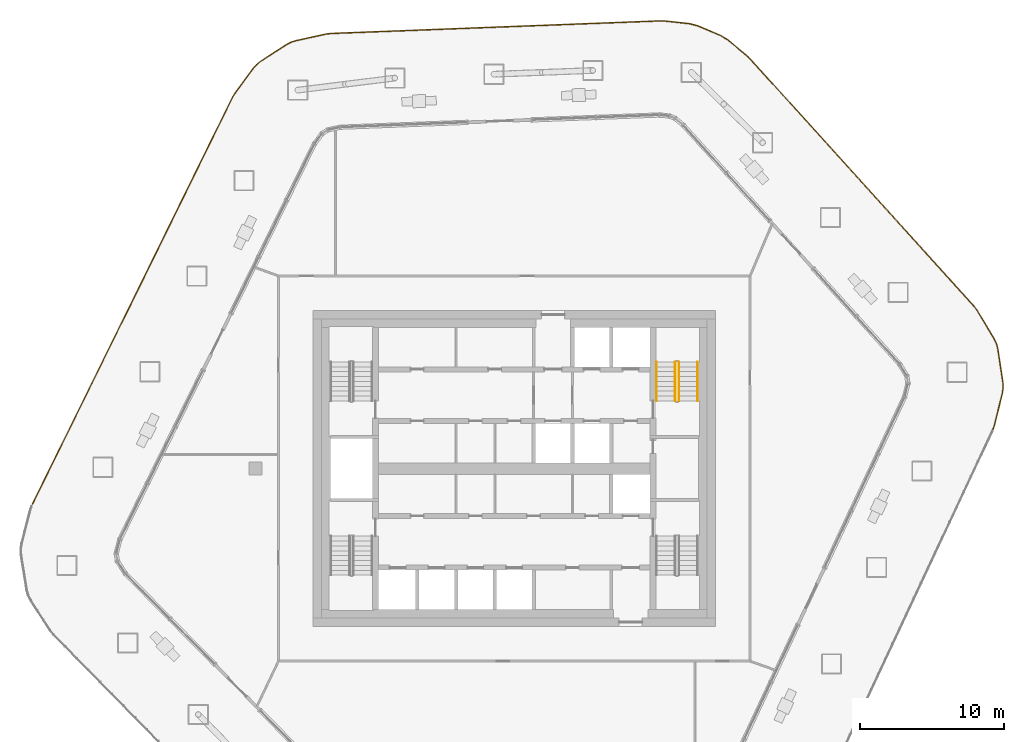
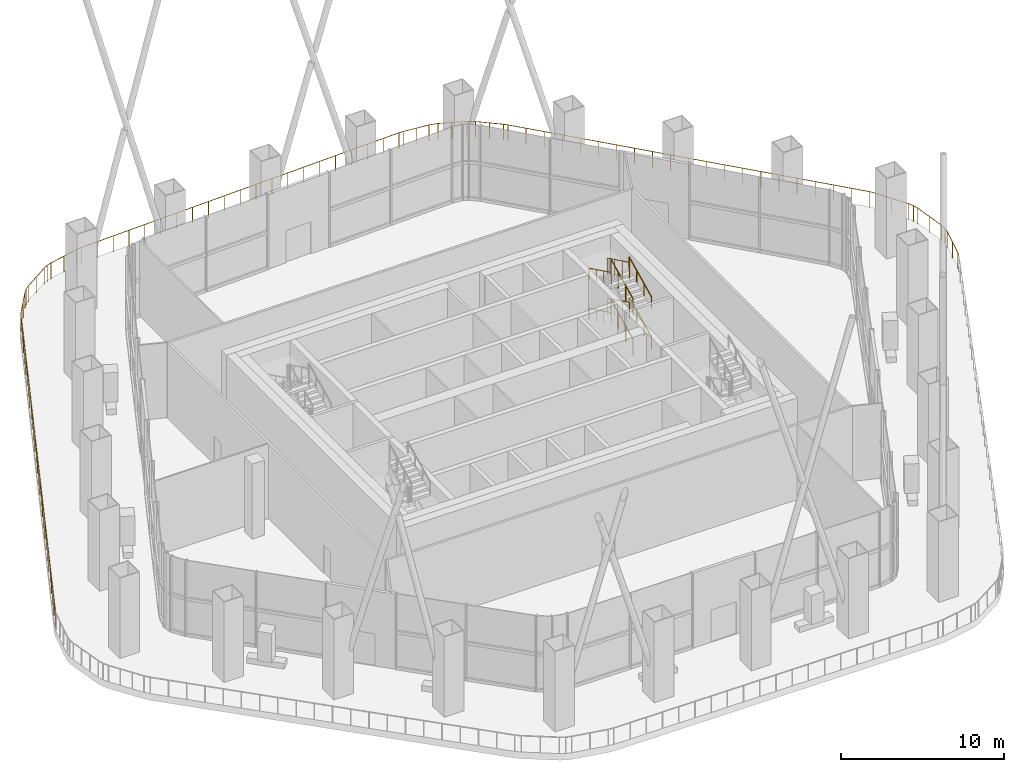
# One storey, part 18 of 20: 9 railings.
"""IFC4 building model written with IfcOpenShell, lengths in metres."""

from ifc_helpers import new_model, si_unit, direction, frame, origin, origin_2d, place, context, subcontext, project, spatial, circle, extrude, material, type_object, element, save


model = new_model("IFC4")

# Units and contexts
model_context = context("Model", 3, precision=1e-05, world=origin(), true_north=direction((0.0, 1.0)))
body_context = subcontext(model_context, "Body", "Model", "MODEL_VIEW")
ifc_project = project(units=[si_unit("LENGTHUNIT", "METRE"), si_unit("AREAUNIT", "SQUARE_METRE"), si_unit("VOLUMEUNIT", "CUBIC_METRE"), si_unit("PLANEANGLEUNIT", "RADIAN"), si_unit("MASSUNIT", "GRAM", prefix="KILO")], contexts=[model_context])

# Site, building, storey
site_placement = place(None, origin())
site = spatial("IfcSite", under=ifc_project, at=site_placement, CompositionType="ELEMENT")
building_placement = place(site_placement, origin())
building = spatial("IfcBuilding", under=site, at=building_placement, Name="Dongbaek Canopy Tower", CompositionType="ELEMENT")
storey_placement = place(building_placement, frame((0.0, 0.0, 353.0)))
storey = spatial("IfcBuildingStorey", under=building, at=storey_placement, Name="L76", CompositionType="ELEMENT", Elevation=353.0)

# Railings
ifc_material_1 = material(Name="Toughened laminated glass in stainless steel", Category="steel")
railing_type_1 = type_object("IfcRailingType", Name="Glazed deck guard 1200", PredefinedType="GUARDRAIL", material=ifc_material_1)
railing_1_placement = place(storey_placement, frame((-33.517333984375, -2.47216796875, 0.0)))
element("IfcRailing", 1, at=railing_1_placement, inside=storey, type_object=railing_type_1, Name="Glazed deck guard L76 2", PredefinedType="GUARDRAIL", context=body_context, shape_type="SweptSolid", body=[
    extrude(circle(Radius=0.02392578125, at=origin_2d()), frame((0.0, 0.0, 1.17578125), z_axis=(0.441346322575, 0.897336850658, 0.0), x_axis=(-0.897336850658, 0.441346322575, 0.0)), (0.0, 0.0, 1.0), 31.54248046875),
    extrude(circle(Radius=0.02392578125, at=origin_2d()), frame((13.921142578125, 28.30419921875, 1.17578125), z_axis=(0.519881062079, 0.854238655934, 0.0), x_axis=(-0.854238655934, 0.519881062079, 0.0)), (0.0, 0.0, 1.0), 0.352783203125),
    extrude(circle(Radius=0.02392578125, at=origin_2d()), frame((14.1044921875, 28.60546875, 1.17578125), z_axis=(0.594181964405, 0.804330649159, 0.0), x_axis=(-0.804330649159, 0.594181964405, 0.0)), (0.0, 0.0, 1.0), 2.134033203125),
    extrude(circle(Radius=0.02392578125, at=origin_2d()), frame((15.37255859375, 30.322021484375, 1.17578125), z_axis=(0.66436383883, 0.747409318684, 0.0), x_axis=(-0.747409318684, 0.66436383883, 0.0)), (0.0, 0.0, 1.0), 0.349853515625),
    extrude(circle(Radius=0.02392578125, at=origin_2d()), frame((15.60498046875, 30.58349609375, 1.17578125), z_axis=(0.786148870656, 0.618037177819, 0.0), x_axis=(-0.618037177819, 0.786148870656, 0.0)), (0.0, 0.0, 1.0), 0.35009765625),
    extrude(circle(Radius=0.02392578125, at=origin_2d()), frame((15.880126953125, 30.7998046875, 1.17578125), z_axis=(0.83871274082, 0.544574088979, 0.0), x_axis=(-0.544574088979, 0.83871274082, 0.0)), (0.0, 0.0, 1.0), 2.134033203125),
    extrude(circle(Radius=0.02392578125, at=origin_2d()), frame((17.669921875, 31.9619140625, 1.17578125), z_axis=(0.884008447772, 0.467470923447, 0.0), x_axis=(-0.467470923447, 0.884008447772, 0.0)), (0.0, 0.0, 1.0), 0.349853515625),
    extrude(circle(Radius=0.02392578125, at=origin_2d()), frame((17.979248046875, 32.12548828125, 1.17578125), z_axis=(0.953053976708, 0.302800458193, 0.0), x_axis=(-0.302800458193, 0.953053976708, 0.0)), (0.0, 0.0, 1.0), 0.349853515625),
    extrude(circle(Radius=0.02392578125, at=origin_2d()), frame((18.312744140625, 32.2314453125, 1.17578125), z_axis=(0.976444787738, 0.215767412967, 0.0), x_axis=(-0.215767412967, 0.976444787738, 0.0)), (0.0, 0.0, 1.0), 2.134033203125),
    extrude(circle(Radius=0.02392578125, at=origin_2d()), frame((20.396484375, 32.69189453125, 1.17578125), z_axis=(0.991857022233, 0.127356379687, 0.0), x_axis=(-0.127356379687, 0.991857022233, 0.0)), (0.0, 0.0, 1.0), 0.352783203125),
    extrude(circle(Radius=0.02392578125, at=origin_2d()), frame((20.746337890625, 32.73681640625, 1.17578125), z_axis=(0.99926894316, 0.038230606005, 0.0), x_axis=(-0.038230606005, 0.99926894316, 0.0)), (0.0, 0.0, 1.0), 22.964111328125),
    extrude(circle(Radius=0.02392578125, at=origin_2d()), frame((43.693603515625, 33.61474609375, 1.17578125), z_axis=(0.999389699148, -0.034931779766, 0.0), x_axis=(0.034931779766, 0.999389699148, 0.0)), (0.0, 0.0, 1.0), 0.28662109375),
    extrude(circle(Radius=0.02392578125, at=origin_2d()), frame((43.97998046875, 33.604736328125, 1.17578125), z_axis=(0.994254138761, -0.107045352806, 0.0), x_axis=(0.107045352806, 0.994254138761, 0.0)), (0.0, 0.0, 1.0), 1.7333984375),
    extrude(circle(Radius=0.02392578125, at=origin_2d()), frame((45.703369140625, 33.419189453125, 1.17578125), z_axis=(0.968253974502, -0.249968479737, 0.0), x_axis=(0.249968479737, 0.968253974502, 0.0)), (0.0, 0.0, 1.0), 0.5712890625),
    extrude(circle(Radius=0.02392578125, at=origin_2d()), frame((46.256591796875, 33.2763671875, 1.17578125), z_axis=(0.921685801598, -0.387937215452, 0.0), x_axis=(0.387937215452, 0.921685801598, 0.0)), (0.0, 0.0, 1.0), 1.731201171875),
    extrude(circle(Radius=0.02392578125, at=origin_2d()), frame((47.852294921875, 32.604736328125, 1.17578125), z_axis=(0.855753979123, -0.517382959919, 0.0), x_axis=(0.517382959919, 0.855753979123, 0.0)), (0.0, 0.0, 1.0), 0.571533203125),
    extrude(circle(Radius=0.02392578125, at=origin_2d()), frame((48.34130859375, 32.30908203125, 1.17578125), z_axis=(0.771661845055, -0.636033015563, 0.0), x_axis=(0.636033015563, 0.771661845055, 0.0)), (0.0, 0.0, 1.0), 1.7333984375),
    extrude(circle(Radius=0.02392578125, at=origin_2d()), frame((49.678955078125, 31.20654296875, 1.17578125), z_axis=(0.723529649183, -0.690293304874, 0.0), x_axis=(0.690293304874, 0.723529649183, 0.0)), (0.0, 0.0, 1.0), 0.286376953125),
    extrude(circle(Radius=0.02392578125, at=origin_2d()), frame((49.88623046875, 31.0087890625, 1.17578125), z_axis=(0.67125480855, -0.741226673831, 0.0), x_axis=(0.741226673831, 0.67125480855, 0.0)), (0.0, 0.0, 1.0), 23.22705078125),
    extrude(circle(Radius=0.02392578125, at=origin_2d()), frame((65.4775390625, 13.792236328125, 1.17578125), z_axis=(0.59572812203, -0.803186158137, 0.0), x_axis=(0.803186158137, 0.59572812203, 0.0)), (0.0, 0.0, 1.0), 0.384765625),
    extrude(circle(Radius=0.02392578125, at=origin_2d()), frame((65.706787109375, 13.483154296875, 1.17578125), z_axis=(0.514387752815, -0.857557718031, 0.0), x_axis=(0.857557718031, 0.514387752815, 0.0)), (0.0, 0.0, 1.0), 2.3271484375),
    extrude(circle(Radius=0.02392578125, at=origin_2d()), frame((66.90380859375, 11.487548828125, 1.17578125), z_axis=(0.427921361735, -0.903815970301, 0.0), x_axis=(0.903815970301, 0.427921361735, 0.0)), (0.0, 0.0, 1.0), 0.381591796875),
    extrude(circle(Radius=0.02392578125, at=origin_2d()), frame((67.067138671875, 11.142578125, 1.17578125), z_axis=(0.244189776516, -0.969727463283, 0.0), x_axis=(0.969727463283, 0.244189776516, 0.0)), (0.0, 0.0, 1.0), 0.3818359375),
    extrude(circle(Radius=0.02392578125, at=origin_2d()), frame((67.160400390625, 10.772216796875, 1.17578125), z_axis=(0.148453317887, -0.988919416539, 0.0), x_axis=(0.988919416539, 0.148453317887, 0.0)), (0.0, 0.0, 1.0), 2.3271484375),
    extrude(circle(Radius=0.02392578125, at=origin_2d()), frame((67.505859375, 8.470947265625, 1.17578125), z_axis=(0.051149347779, -0.998691015391, 0.0), x_axis=(0.998691015391, 0.051149347779, 0.0)), (0.0, 0.0, 1.0), 0.3818359375),
    extrude(circle(Radius=0.02392578125, at=origin_2d()), frame((67.525390625, 8.089599609375, 1.17578125), z_axis=(-0.143928456093, -0.98958809589, 0.0), x_axis=(0.98958809589, -0.143928456093, 0.0)), (0.0, 0.0, 1.0), 0.381591796875),
    extrude(circle(Radius=0.02392578125, at=origin_2d()), frame((67.470458984375, 7.7119140625, 1.17578125), z_axis=(-0.240041590788, -0.970762604704, 0.0), x_axis=(0.970762604704, -0.240041590788, 0.0)), (0.0, 0.0, 1.0), 2.3271484375),
    extrude(circle(Radius=0.02392578125, at=origin_2d()), frame((66.911865234375, 5.452880859375, 1.17578125), z_axis=(-0.333402866378, -0.942784455054, 0.0), x_axis=(0.942784455054, -0.333402866378, 0.0)), (0.0, 0.0, 1.0), 0.284912109375),
    extrude(circle(Radius=0.02099609375, at=origin_2d()), origin(), (0.0, 0.0, 1.0), 1.15185546875),
    extrude(circle(Radius=0.02099609375, at=origin_2d()), frame((0.515625, 1.04833984375, 0.0)), (0.0, 0.0, 1.0), 1.15185546875),
    extrude(circle(Radius=0.02099609375, at=origin_2d()), frame((1.03125, 2.0966796875, 0.0)), (0.0, 0.0, 1.0), 1.15185546875),
    extrude(circle(Radius=0.02099609375, at=origin_2d()), frame((1.546875, 3.14501953125, 0.0)), (0.0, 0.0, 1.0), 1.15185546875),
    extrude(circle(Radius=0.02099609375, at=origin_2d()), frame((2.0625, 4.193115234375, 0.0)), (0.0, 0.0, 1.0), 1.15185546875),
    extrude(circle(Radius=0.02099609375, at=origin_2d()), frame((2.577880859375, 5.241455078125, 0.0)), (0.0, 0.0, 1.0), 1.15185546875),
    extrude(circle(Radius=0.02099609375, at=origin_2d()), frame((3.093505859375, 6.289794921875, 0.0)), (0.0, 0.0, 1.0), 1.15185546875),
    extrude(circle(Radius=0.02099609375, at=origin_2d()), frame((3.609130859375, 7.338134765625, 0.0)), (0.0, 0.0, 1.0), 1.15185546875),
    extrude(circle(Radius=0.02099609375, at=origin_2d()), frame((4.124755859375, 8.386474609375, 0.0)), (0.0, 0.0, 1.0), 1.15185546875),
    extrude(circle(Radius=0.02099609375, at=origin_2d()), frame((4.640380859375, 9.434814453125, 0.0)), (0.0, 0.0, 1.0), 1.15185546875),
    extrude(circle(Radius=0.02099609375, at=origin_2d()), frame((5.156005859375, 10.483154296875, 0.0)), (0.0, 0.0, 1.0), 1.15185546875),
    extrude(circle(Radius=0.02099609375, at=origin_2d()), frame((5.671630859375, 11.53125, 0.0)), (0.0, 0.0, 1.0), 1.15185546875),
    extrude(circle(Radius=0.02099609375, at=origin_2d()), frame((6.187255859375, 12.57958984375, 0.0)), (0.0, 0.0, 1.0), 1.15185546875),
    extrude(circle(Radius=0.02099609375, at=origin_2d()), frame((6.702880859375, 13.6279296875, 0.0)), (0.0, 0.0, 1.0), 1.15185546875),
    extrude(circle(Radius=0.02099609375, at=origin_2d()), frame((7.21826171875, 14.67626953125, 0.0)), (0.0, 0.0, 1.0), 1.15185546875),
    extrude(circle(Radius=0.02099609375, at=origin_2d()), frame((7.73388671875, 15.724609375, 0.0)), (0.0, 0.0, 1.0), 1.15185546875),
    extrude(circle(Radius=0.02099609375, at=origin_2d()), frame((8.24951171875, 16.77294921875, 0.0)), (0.0, 0.0, 1.0), 1.15185546875),
    extrude(circle(Radius=0.02099609375, at=origin_2d()), frame((8.76513671875, 17.821044921875, 0.0)), (0.0, 0.0, 1.0), 1.15185546875),
    extrude(circle(Radius=0.02099609375, at=origin_2d()), frame((9.28076171875, 18.869384765625, 0.0)), (0.0, 0.0, 1.0), 1.15185546875),
    extrude(circle(Radius=0.02099609375, at=origin_2d()), frame((9.79638671875, 19.917724609375, 0.0)), (0.0, 0.0, 1.0), 1.15185546875),
    extrude(circle(Radius=0.02099609375, at=origin_2d()), frame((10.31201171875, 20.966064453125, 0.0)), (0.0, 0.0, 1.0), 1.15185546875),
    extrude(circle(Radius=0.02099609375, at=origin_2d()), frame((10.82763671875, 22.014404296875, 0.0)), (0.0, 0.0, 1.0), 1.15185546875),
    extrude(circle(Radius=0.02099609375, at=origin_2d()), frame((11.34326171875, 23.062744140625, 0.0)), (0.0, 0.0, 1.0), 1.15185546875),
    extrude(circle(Radius=0.02099609375, at=origin_2d()), frame((11.858642578125, 24.111083984375, 0.0)), (0.0, 0.0, 1.0), 1.15185546875),
    extrude(circle(Radius=0.02099609375, at=origin_2d()), frame((12.374267578125, 25.1591796875, 0.0)), (0.0, 0.0, 1.0), 1.15185546875),
    extrude(circle(Radius=0.02099609375, at=origin_2d()), frame((12.889892578125, 26.20751953125, 0.0)), (0.0, 0.0, 1.0), 1.15185546875),
    extrude(circle(Radius=0.02099609375, at=origin_2d()), frame((13.405517578125, 27.255859375, 0.0)), (0.0, 0.0, 1.0), 1.15185546875),
    extrude(circle(Radius=0.02099609375, at=origin_2d()), frame((13.921142578125, 28.30419921875, 0.0)), (0.0, 0.0, 1.0), 1.15185546875),
    extrude(circle(Radius=0.02099609375, at=origin_2d()), frame((14.1044921875, 28.60546875, 0.0)), (0.0, 0.0, 1.0), 1.15185546875),
    extrude(circle(Radius=0.02099609375, at=origin_2d()), frame((14.738525390625, 29.4638671875, 0.0)), (0.0, 0.0, 1.0), 1.15185546875),
    extrude(circle(Radius=0.02099609375, at=origin_2d()), frame((15.37255859375, 30.322021484375, 0.0)), (0.0, 0.0, 1.0), 1.15185546875),
    extrude(circle(Radius=0.02099609375, at=origin_2d()), frame((15.60498046875, 30.58349609375, 0.0)), (0.0, 0.0, 1.0), 1.15185546875),
    extrude(circle(Radius=0.02099609375, at=origin_2d()), frame((15.880126953125, 30.7998046875, 0.0)), (0.0, 0.0, 1.0), 1.15185546875),
    extrude(circle(Radius=0.02099609375, at=origin_2d()), frame((16.77490234375, 31.380859375, 0.0)), (0.0, 0.0, 1.0), 1.15185546875),
    extrude(circle(Radius=0.02099609375, at=origin_2d()), frame((17.669921875, 31.9619140625, 0.0)), (0.0, 0.0, 1.0), 1.15185546875),
    extrude(circle(Radius=0.02099609375, at=origin_2d()), frame((17.979248046875, 32.12548828125, 0.0)), (0.0, 0.0, 1.0), 1.15185546875),
    extrude(circle(Radius=0.02099609375, at=origin_2d()), frame((18.312744140625, 32.2314453125, 0.0)), (0.0, 0.0, 1.0), 1.15185546875),
    extrude(circle(Radius=0.02099609375, at=origin_2d()), frame((19.3544921875, 32.461669921875, 0.0)), (0.0, 0.0, 1.0), 1.15185546875),
    extrude(circle(Radius=0.02099609375, at=origin_2d()), frame((20.396484375, 32.69189453125, 0.0)), (0.0, 0.0, 1.0), 1.15185546875),
    extrude(circle(Radius=0.02099609375, at=origin_2d()), frame((20.746337890625, 32.73681640625, 0.0)), (0.0, 0.0, 1.0), 1.15185546875),
    extrude(circle(Radius=0.02099609375, at=origin_2d()), frame((21.893798828125, 32.78076171875, 0.0)), (0.0, 0.0, 1.0), 1.15185546875),
    extrude(circle(Radius=0.02099609375, at=origin_2d()), frame((23.041015625, 32.82470703125, 0.0)), (0.0, 0.0, 1.0), 1.15185546875),
    extrude(circle(Radius=0.02099609375, at=origin_2d()), frame((24.1884765625, 32.868408203125, 0.0)), (0.0, 0.0, 1.0), 1.15185546875),
    extrude(circle(Radius=0.02099609375, at=origin_2d()), frame((25.335693359375, 32.912353515625, 0.0)), (0.0, 0.0, 1.0), 1.15185546875),
    extrude(circle(Radius=0.02099609375, at=origin_2d()), frame((26.483154296875, 32.956298828125, 0.0)), (0.0, 0.0, 1.0), 1.15185546875),
    extrude(circle(Radius=0.02099609375, at=origin_2d()), frame((27.630615234375, 33.000244140625, 0.0)), (0.0, 0.0, 1.0), 1.15185546875),
    extrude(circle(Radius=0.02099609375, at=origin_2d()), frame((28.77783203125, 33.044189453125, 0.0)), (0.0, 0.0, 1.0), 1.15185546875),
    extrude(circle(Radius=0.02099609375, at=origin_2d()), frame((29.92529296875, 33.087890625, 0.0)), (0.0, 0.0, 1.0), 1.15185546875),
    extrude(circle(Radius=0.02099609375, at=origin_2d()), frame((31.072509765625, 33.1318359375, 0.0)), (0.0, 0.0, 1.0), 1.15185546875),
    extrude(circle(Radius=0.02099609375, at=origin_2d()), frame((32.219970703125, 33.17578125, 0.0)), (0.0, 0.0, 1.0), 1.15185546875),
    extrude(circle(Radius=0.02099609375, at=origin_2d()), frame((33.367431640625, 33.2197265625, 0.0)), (0.0, 0.0, 1.0), 1.15185546875),
    extrude(circle(Radius=0.02099609375, at=origin_2d()), frame((34.5146484375, 33.263671875, 0.0)), (0.0, 0.0, 1.0), 1.15185546875),
    extrude(circle(Radius=0.02099609375, at=origin_2d()), frame((35.662109375, 33.307373046875, 0.0)), (0.0, 0.0, 1.0), 1.15185546875),
    extrude(circle(Radius=0.02099609375, at=origin_2d()), frame((36.809326171875, 33.351318359375, 0.0)), (0.0, 0.0, 1.0), 1.15185546875),
    extrude(circle(Radius=0.02099609375, at=origin_2d()), frame((37.956787109375, 33.395263671875, 0.0)), (0.0, 0.0, 1.0), 1.15185546875),
    extrude(circle(Radius=0.02099609375, at=origin_2d()), frame((39.104248046875, 33.439208984375, 0.0)), (0.0, 0.0, 1.0), 1.15185546875),
    extrude(circle(Radius=0.02099609375, at=origin_2d()), frame((40.25146484375, 33.483154296875, 0.0)), (0.0, 0.0, 1.0), 1.15185546875),
    extrude(circle(Radius=0.02099609375, at=origin_2d()), frame((41.39892578125, 33.52685546875, 0.0)), (0.0, 0.0, 1.0), 1.15185546875),
    extrude(circle(Radius=0.02099609375, at=origin_2d()), frame((42.546142578125, 33.57080078125, 0.0)), (0.0, 0.0, 1.0), 1.15185546875),
    extrude(circle(Radius=0.02099609375, at=origin_2d()), frame((43.693603515625, 33.61474609375, 0.0)), (0.0, 0.0, 1.0), 1.15185546875),
    extrude(circle(Radius=0.02099609375, at=origin_2d()), frame((43.97998046875, 33.604736328125, 0.0)), (0.0, 0.0, 1.0), 1.15185546875),
    extrude(circle(Radius=0.02099609375, at=origin_2d()), frame((44.841796875, 33.511962890625, 0.0)), (0.0, 0.0, 1.0), 1.15185546875),
    extrude(circle(Radius=0.02099609375, at=origin_2d()), frame((45.703369140625, 33.419189453125, 0.0)), (0.0, 0.0, 1.0), 1.15185546875),
    extrude(circle(Radius=0.02099609375, at=origin_2d()), frame((46.256591796875, 33.2763671875, 0.0)), (0.0, 0.0, 1.0), 1.15185546875),
    extrude(circle(Radius=0.02099609375, at=origin_2d()), frame((47.054443359375, 32.9404296875, 0.0)), (0.0, 0.0, 1.0), 1.15185546875),
    extrude(circle(Radius=0.02099609375, at=origin_2d()), frame((47.852294921875, 32.604736328125, 0.0)), (0.0, 0.0, 1.0), 1.15185546875),
    extrude(circle(Radius=0.02099609375, at=origin_2d()), frame((48.34130859375, 32.30908203125, 0.0)), (0.0, 0.0, 1.0), 1.15185546875),
    extrude(circle(Radius=0.02099609375, at=origin_2d()), frame((49.01025390625, 31.7578125, 0.0)), (0.0, 0.0, 1.0), 1.15185546875),
    extrude(circle(Radius=0.02099609375, at=origin_2d()), frame((49.678955078125, 31.20654296875, 0.0)), (0.0, 0.0, 1.0), 1.15185546875),
    extrude(circle(Radius=0.02099609375, at=origin_2d()), frame((49.88623046875, 31.0087890625, 0.0)), (0.0, 0.0, 1.0), 1.15185546875),
    extrude(circle(Radius=0.02099609375, at=origin_2d()), frame((50.665771484375, 30.14794921875, 0.0)), (0.0, 0.0, 1.0), 1.15185546875),
    extrude(circle(Radius=0.02099609375, at=origin_2d()), frame((51.4453125, 29.287109375, 0.0)), (0.0, 0.0, 1.0), 1.15185546875),
    extrude(circle(Radius=0.02099609375, at=origin_2d()), frame((52.224853515625, 28.42626953125, 0.0)), (0.0, 0.0, 1.0), 1.15185546875),
    extrude(circle(Radius=0.02099609375, at=origin_2d()), frame((53.00439453125, 27.5654296875, 0.0)), (0.0, 0.0, 1.0), 1.15185546875),
    extrude(circle(Radius=0.02099609375, at=origin_2d()), frame((53.7841796875, 26.70458984375, 0.0)), (0.0, 0.0, 1.0), 1.15185546875),
    extrude(circle(Radius=0.02099609375, at=origin_2d()), frame((54.563720703125, 25.84375, 0.0)), (0.0, 0.0, 1.0), 1.15185546875),
    extrude(circle(Radius=0.02099609375, at=origin_2d()), frame((55.34326171875, 24.98291015625, 0.0)), (0.0, 0.0, 1.0), 1.15185546875),
    extrude(circle(Radius=0.02099609375, at=origin_2d()), frame((56.122802734375, 24.1220703125, 0.0)), (0.0, 0.0, 1.0), 1.15185546875),
    extrude(circle(Radius=0.02099609375, at=origin_2d()), frame((56.90234375, 23.26123046875, 0.0)), (0.0, 0.0, 1.0), 1.15185546875),
    extrude(circle(Radius=0.02099609375, at=origin_2d()), frame((57.681884765625, 22.400390625, 0.0)), (0.0, 0.0, 1.0), 1.15185546875),
    extrude(circle(Radius=0.02099609375, at=origin_2d()), frame((58.46142578125, 21.539794921875, 0.0)), (0.0, 0.0, 1.0), 1.15185546875),
    extrude(circle(Radius=0.02099609375, at=origin_2d()), frame((59.240966796875, 20.678955078125, 0.0)), (0.0, 0.0, 1.0), 1.15185546875),
    extrude(circle(Radius=0.02099609375, at=origin_2d()), frame((60.0205078125, 19.818115234375, 0.0)), (0.0, 0.0, 1.0), 1.15185546875),
    extrude(circle(Radius=0.02099609375, at=origin_2d()), frame((60.800048828125, 18.957275390625, 0.0)), (0.0, 0.0, 1.0), 1.15185546875),
    extrude(circle(Radius=0.02099609375, at=origin_2d()), frame((61.57958984375, 18.096435546875, 0.0)), (0.0, 0.0, 1.0), 1.15185546875),
    extrude(circle(Radius=0.02099609375, at=origin_2d()), frame((62.359375, 17.235595703125, 0.0)), (0.0, 0.0, 1.0), 1.15185546875),
    extrude(circle(Radius=0.02099609375, at=origin_2d()), frame((63.138916015625, 16.374755859375, 0.0)), (0.0, 0.0, 1.0), 1.15185546875),
    extrude(circle(Radius=0.02099609375, at=origin_2d()), frame((63.91845703125, 15.513916015625, 0.0)), (0.0, 0.0, 1.0), 1.15185546875),
    extrude(circle(Radius=0.02099609375, at=origin_2d()), frame((64.697998046875, 14.653076171875, 0.0)), (0.0, 0.0, 1.0), 1.15185546875),
    extrude(circle(Radius=0.02099609375, at=origin_2d()), frame((65.4775390625, 13.792236328125, 0.0)), (0.0, 0.0, 1.0), 1.15185546875),
    extrude(circle(Radius=0.02099609375, at=origin_2d()), frame((65.706787109375, 13.483154296875, 0.0)), (0.0, 0.0, 1.0), 1.15185546875),
    extrude(circle(Radius=0.02099609375, at=origin_2d()), frame((66.30517578125, 12.4853515625, 0.0)), (0.0, 0.0, 1.0), 1.15185546875),
    extrude(circle(Radius=0.02099609375, at=origin_2d()), frame((66.90380859375, 11.487548828125, 0.0)), (0.0, 0.0, 1.0), 1.15185546875),
    extrude(circle(Radius=0.02099609375, at=origin_2d()), frame((67.067138671875, 11.142578125, 0.0)), (0.0, 0.0, 1.0), 1.15185546875),
    extrude(circle(Radius=0.02099609375, at=origin_2d()), frame((67.160400390625, 10.772216796875, 0.0)), (0.0, 0.0, 1.0), 1.15185546875),
    extrude(circle(Radius=0.02099609375, at=origin_2d()), frame((67.3330078125, 9.62158203125, 0.0)), (0.0, 0.0, 1.0), 1.15185546875),
    extrude(circle(Radius=0.02099609375, at=origin_2d()), frame((67.505859375, 8.470947265625, 0.0)), (0.0, 0.0, 1.0), 1.15185546875),
    extrude(circle(Radius=0.02099609375, at=origin_2d()), frame((67.525390625, 8.089599609375, 0.0)), (0.0, 0.0, 1.0), 1.15185546875),
    extrude(circle(Radius=0.02099609375, at=origin_2d()), frame((67.470458984375, 7.7119140625, 0.0)), (0.0, 0.0, 1.0), 1.15185546875),
    extrude(circle(Radius=0.02099609375, at=origin_2d()), frame((67.191162109375, 6.58251953125, 0.0)), (0.0, 0.0, 1.0), 1.15185546875),
    extrude(circle(Radius=0.02099609375, at=origin_2d()), frame((66.911865234375, 5.452880859375, 0.0)), (0.0, 0.0, 1.0), 1.15185546875),
    extrude(circle(Radius=0.02099609375, at=origin_2d()), frame((66.81689453125, 5.184326171875, 0.0)), (0.0, 0.0, 1.0), 1.15185546875),
])
ifc_material_2 = material(Name="Stainless steel tube and balusters", Category="steel")
railing_type_2 = type_object("IfcRailingType", Name="Stair guard 1200", PredefinedType="GUARDRAIL", material=ifc_material_2)
railing_2_placement = place(storey_placement, frame((11.449951171875, 4.699951171875, 0.166748046875)))
element("IfcRailing", 2, at=railing_2_placement, inside=storey, type_object=railing_type_2, Name="L76 ST-A stair guard 1", PredefinedType="GUARDRAIL", context=body_context, shape_type="SweptSolid", body=[
    extrude(circle(Radius=0.02392578125, at=origin_2d()), frame((0.0, 0.0, 1.17578125), z_axis=(0.0, 0.897929466783, 0.4401393787), x_axis=(-1.0, 0.0, 0.0)), (0.0, 0.0, 1.0), 3.029052734375),
    extrude(circle(Radius=0.02099609375, at=origin_2d()), origin(), (0.0, 0.0, 1.0), 1.15185546875),
    extrude(circle(Radius=0.02099609375, at=origin_2d()), frame((0.0, 0.90673828125, 0.4443359375)), (0.0, 0.0, 1.0), 1.15185546875),
    extrude(circle(Radius=0.02099609375, at=origin_2d()), frame((0.0, 1.813232421875, 0.888916015625)), (0.0, 0.0, 1.0), 1.15185546875),
    extrude(circle(Radius=0.02099609375, at=origin_2d()), frame((0.0, 2.719970703125, 1.333251953125)), (0.0, 0.0, 1.0), 1.15185546875),
])
railing_3_placement = place(storey_placement, frame((11.199951171875, 7.419921875, 1.666748046875)))
element("IfcRailing", 3, at=railing_3_placement, inside=storey, type_object=railing_type_2, Name="L76 ST-A stair guard 3", PredefinedType="GUARDRAIL", context=body_context, shape_type="SweptSolid", body=[
    extrude(circle(Radius=0.02392578125, at=origin_2d()), frame((0.0, 0.0, 1.17578125), z_axis=(0.0, -0.897929466783, 0.4401393787), x_axis=(1.0, 0.0, 0.0)), (0.0, 0.0, 1.0), 3.029052734375),
    extrude(circle(Radius=0.02099609375, at=origin_2d()), origin(), (0.0, 0.0, 1.0), 1.15185546875),
    extrude(circle(Radius=0.02099609375, at=origin_2d()), frame((0.0, -0.90673828125, 0.4443359375)), (0.0, 0.0, 1.0), 1.15185546875),
    extrude(circle(Radius=0.02099609375, at=origin_2d()), frame((0.0, -1.813232421875, 0.888916015625)), (0.0, 0.0, 1.0), 1.15185546875),
    extrude(circle(Radius=0.02099609375, at=origin_2d()), frame((0.0, -2.719970703125, 1.333251953125)), (0.0, 0.0, 1.0), 1.15185546875),
])
railing_4_placement = place(storey_placement, frame((11.449951171875, 4.699951171875, 3.166748046875)))
element("IfcRailing", 4, at=railing_4_placement, inside=storey, type_object=railing_type_2, Name="L76 ST-A stair guard 5", PredefinedType="GUARDRAIL", context=body_context, shape_type="SweptSolid", body=[
    extrude(circle(Radius=0.02392578125, at=origin_2d()), frame((0.0, 0.0, 1.17578125), z_axis=(0.0, 0.897929466783, 0.4401393787), x_axis=(-1.0, 0.0, 0.0)), (0.0, 0.0, 1.0), 3.029052734375),
    extrude(circle(Radius=0.02099609375, at=origin_2d()), origin(), (0.0, 0.0, 1.0), 1.15185546875),
    extrude(circle(Radius=0.02099609375, at=origin_2d()), frame((0.0, 0.90673828125, 0.4443359375)), (0.0, 0.0, 1.0), 1.15185546875),
    extrude(circle(Radius=0.02099609375, at=origin_2d()), frame((0.0, 1.813232421875, 0.888916015625)), (0.0, 0.0, 1.0), 1.15185546875),
    extrude(circle(Radius=0.02099609375, at=origin_2d()), frame((0.0, 2.719970703125, 1.333251953125)), (0.0, 0.0, 1.0), 1.15185546875),
])
railing_5_placement = place(storey_placement, frame((11.199951171875, 7.419921875, 4.666748046875)))
element("IfcRailing", 5, at=railing_5_placement, inside=storey, type_object=railing_type_2, Name="L76 ST-A stair guard 7", PredefinedType="GUARDRAIL", context=body_context, shape_type="SweptSolid", body=[
    extrude(circle(Radius=0.02392578125, at=origin_2d()), frame((0.0, 0.0, 1.17578125), z_axis=(0.0, -0.897929466783, 0.4401393787), x_axis=(1.0, 0.0, 0.0)), (0.0, 0.0, 1.0), 3.029052734375),
    extrude(circle(Radius=0.02099609375, at=origin_2d()), origin(), (0.0, 0.0, 1.0), 1.15185546875),
    extrude(circle(Radius=0.02099609375, at=origin_2d()), frame((0.0, -0.90673828125, 0.4443359375)), (0.0, 0.0, 1.0), 1.15185546875),
    extrude(circle(Radius=0.02099609375, at=origin_2d()), frame((0.0, -1.813232421875, 0.888916015625)), (0.0, 0.0, 1.0), 1.15185546875),
    extrude(circle(Radius=0.02099609375, at=origin_2d()), frame((0.0, -2.719970703125, 1.333251953125)), (0.0, 0.0, 1.0), 1.15185546875),
])
ifc_material_3 = material(Name="Stainless steel tube", Category="steel")
railing_type_3 = type_object("IfcRailingType", Name="Stair handrail 900", PredefinedType="HANDRAIL", material=ifc_material_3)
railing_6_placement = place(storey_placement, frame((12.75, 4.699951171875, 0.166748046875)))
element("IfcRailing", 6, at=railing_6_placement, inside=storey, type_object=railing_type_3, Name="L76 ST-A stair handrail 1", PredefinedType="HANDRAIL", context=body_context, shape_type="SweptSolid", body=[
    extrude(circle(Radius=0.02392578125, at=origin_2d()), frame((0.0, 0.0, 0.8759765625), z_axis=(0.0, 0.897929466783, 0.4401393787), x_axis=(-1.0, 0.0, 0.0)), (0.0, 0.0, 1.0), 3.029052734375),
    extrude(circle(Radius=0.02099609375, at=origin_2d()), origin(), (0.0, 0.0, 1.0), 0.851806640625),
    extrude(circle(Radius=0.02099609375, at=origin_2d()), frame((0.0, 0.90673828125, 0.4443359375)), (0.0, 0.0, 1.0), 0.851806640625),
    extrude(circle(Radius=0.02099609375, at=origin_2d()), frame((0.0, 1.813232421875, 0.888916015625)), (0.0, 0.0, 1.0), 0.851806640625),
    extrude(circle(Radius=0.02099609375, at=origin_2d()), frame((0.0, 2.719970703125, 1.333251953125)), (0.0, 0.0, 1.0), 0.851806640625),
])
railing_7_placement = place(storey_placement, frame((9.89990234375, 7.419921875, 1.666748046875)))
element("IfcRailing", 7, at=railing_7_placement, inside=storey, type_object=railing_type_3, Name="L76 ST-A stair handrail 2", PredefinedType="HANDRAIL", context=body_context, shape_type="SweptSolid", body=[
    extrude(circle(Radius=0.02392578125, at=origin_2d()), frame((0.0, 0.0, 0.8759765625), z_axis=(0.0, -0.897929466783, 0.4401393787), x_axis=(1.0, 0.0, 0.0)), (0.0, 0.0, 1.0), 3.029052734375),
    extrude(circle(Radius=0.02099609375, at=origin_2d()), origin(), (0.0, 0.0, 1.0), 0.851806640625),
    extrude(circle(Radius=0.02099609375, at=origin_2d()), frame((0.0, -0.90673828125, 0.4443359375)), (0.0, 0.0, 1.0), 0.851806640625),
    extrude(circle(Radius=0.02099609375, at=origin_2d()), frame((0.0, -1.813232421875, 0.888916015625)), (0.0, 0.0, 1.0), 0.851806640625),
    extrude(circle(Radius=0.02099609375, at=origin_2d()), frame((0.0, -2.719970703125, 1.333251953125)), (0.0, 0.0, 1.0), 0.851806640625),
])
railing_8_placement = place(storey_placement, frame((12.75, 4.699951171875, 3.166748046875)))
element("IfcRailing", 8, at=railing_8_placement, inside=storey, type_object=railing_type_3, Name="L76 ST-A stair handrail 3", PredefinedType="HANDRAIL", context=body_context, shape_type="SweptSolid", body=[
    extrude(circle(Radius=0.02392578125, at=origin_2d()), frame((0.0, 0.0, 0.8759765625), z_axis=(0.0, 0.897929466783, 0.4401393787), x_axis=(-1.0, 0.0, 0.0)), (0.0, 0.0, 1.0), 3.029052734375),
    extrude(circle(Radius=0.02099609375, at=origin_2d()), origin(), (0.0, 0.0, 1.0), 0.851806640625),
    extrude(circle(Radius=0.02099609375, at=origin_2d()), frame((0.0, 0.90673828125, 0.4443359375)), (0.0, 0.0, 1.0), 0.851806640625),
    extrude(circle(Radius=0.02099609375, at=origin_2d()), frame((0.0, 1.813232421875, 0.888916015625)), (0.0, 0.0, 1.0), 0.851806640625),
    extrude(circle(Radius=0.02099609375, at=origin_2d()), frame((0.0, 2.719970703125, 1.333251953125)), (0.0, 0.0, 1.0), 0.851806640625),
])
railing_9_placement = place(storey_placement, frame((9.89990234375, 7.419921875, 4.666748046875)))
element("IfcRailing", 9, at=railing_9_placement, inside=storey, type_object=railing_type_3, Name="L76 ST-A stair handrail 4", PredefinedType="HANDRAIL", context=body_context, shape_type="SweptSolid", body=[
    extrude(circle(Radius=0.02392578125, at=origin_2d()), frame((0.0, 0.0, 0.8759765625), z_axis=(0.0, -0.897929466783, 0.4401393787), x_axis=(1.0, 0.0, 0.0)), (0.0, 0.0, 1.0), 3.029052734375),
    extrude(circle(Radius=0.02099609375, at=origin_2d()), origin(), (0.0, 0.0, 1.0), 0.851806640625),
    extrude(circle(Radius=0.02099609375, at=origin_2d()), frame((0.0, -0.90673828125, 0.4443359375)), (0.0, 0.0, 1.0), 0.851806640625),
    extrude(circle(Radius=0.02099609375, at=origin_2d()), frame((0.0, -1.813232421875, 0.888916015625)), (0.0, 0.0, 1.0), 0.851806640625),
    extrude(circle(Radius=0.02099609375, at=origin_2d()), frame((0.0, -2.719970703125, 1.333251953125)), (0.0, 0.0, 1.0), 0.851806640625),
])

save(model, "model.ifc")
